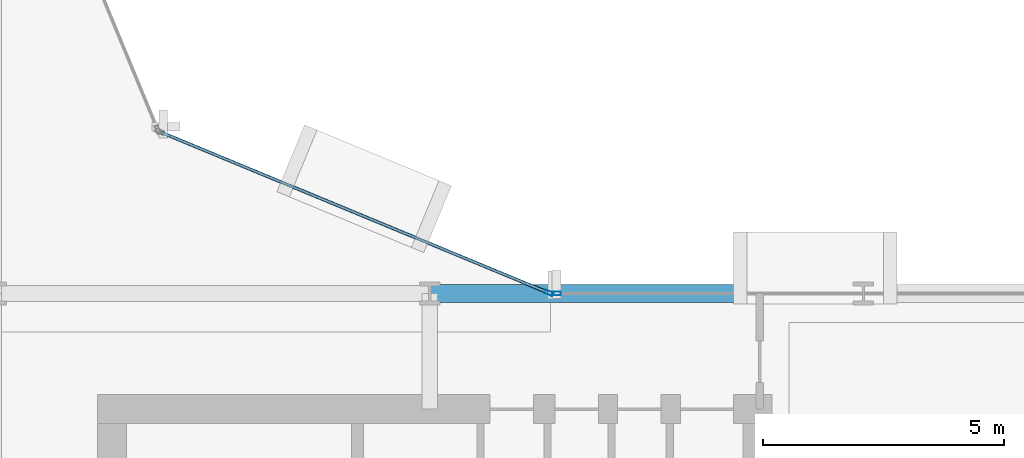
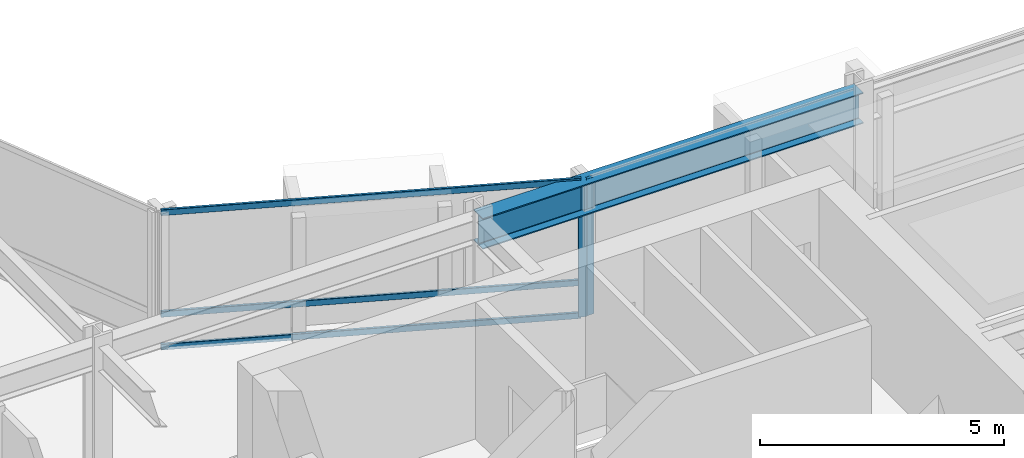
# One storey, part 15 of 34: 5 members, 1 beam, 2 elements without a shape of their own.
"""IFC4 building model written with IfcOpenShell, lengths in metres."""

from ifc_helpers import new_model, si_unit, direction, frame, origin, origin_2d, place, context, subcontext, project, spatial, hollow_rectangle, i_section, extrude, material, layer, layer_set, material_profile, profile_set, type_object, element, aggregate, save


model = new_model("IFC4")

# Units and contexts
model_context = context("Model", 3, precision=1e-05, world=origin(), true_north=direction((0.0, 1.0)))
body_context = subcontext(model_context, "Body", "Model", "MODEL_VIEW")
ifc_project = project(units=[si_unit("LENGTHUNIT", "METRE"), si_unit("AREAUNIT", "SQUARE_METRE"), si_unit("VOLUMEUNIT", "CUBIC_METRE"), si_unit("PLANEANGLEUNIT", "RADIAN"), si_unit("MASSUNIT", "GRAM", prefix="KILO")], contexts=[model_context])

# Site, building, storey
site_placement = place(None, origin())
site = spatial("IfcSite", under=ifc_project, at=site_placement, CompositionType="ELEMENT")
building_placement = place(site_placement, origin())
building = spatial("IfcBuilding", under=site, at=building_placement, Name="Solvaryn Broadcast Tower", CompositionType="ELEMENT")
storey_placement = place(building_placement, frame((0.0, 0.0, 89.10009765625)))
storey = spatial("IfcBuildingStorey", under=building, at=storey_placement, Name="L21", CompositionType="ELEMENT", Elevation=89.10009765625)

# Beam
ifc_material_1 = material(Name="Steel ASTM A992 Grade 50", Category="steel")
ifc_material_profile_1 = material_profile(ifc_material_1, i_section(OverallWidth=0.381103515625, OverallDepth=0.77294921875, WebThickness=0.0166015625, FlangeThickness=0.027099609375, FilletRadius=0.01806640625, at=origin_2d()))
ifc_profile_set_1 = profile_set([ifc_material_profile_1], Name="Steel ASTM A992 Grade 50")
beam_type = type_object("IfcBeamType", Name="BM-SP1-W30X173", PredefinedType="USERDEFINED", material=ifc_profile_set_1)
beam_placement = place(storey_placement, frame((36.0, 27.0, 3.033447265625), z_axis=(1.0, 0.0, 0.0), x_axis=(0.0, 1.0, 0.0)))
element("IfcBeam", 1, at=beam_placement, inside=storey, type_object=beam_type, Name="L21 Spandrel Beam X (36-45 @ Y=27)", ObjectType="SPANDREL", PredefinedType="USERDEFINED", context=body_context, shape_type="SweptSolid", body=[
    extrude(i_section(OverallWidth=0.381103515625, OverallDepth=0.77294921875, WebThickness=0.0166015625, FlangeThickness=0.027099609375, FilletRadius=0.01806640625, at=origin_2d()), origin(), (0.0, 0.0, 1.0), 9.0),
])

# Curtain wall, member
ifc_material_2 = material(Name="Aluminium and Terracotta Unitised Curtain Wall", Category="masonry")
ifc_layer = layer(ifc_material_2, 0.199951171875)
ifc_layer_set = layer_set([ifc_layer], Name="CW-SYS2-LOWMID")
curtain_wall_type = type_object("IfcCurtainWallType", Name="CW-SYS2-LOWMID", PredefinedType="NOTDEFINED", material=ifc_layer_set)
curtain_wall_1_placement = place(storey_placement, origin())
curtain_wall_1 = element("IfcCurtainWall", 2, at=curtain_wall_1_placement, inside=storey, type_object=curtain_wall_type, Name="L21 Curtain Wall CN1", PredefinedType="NOTDEFINED")
ifc_material_3 = material(Name="Anodised Aluminium 6063-T6", Category="aluminium")
ifc_material_profile_2 = material_profile(ifc_material_3, hollow_rectangle(XDim=0.074951171875, YDim=0.179931640625, WallThickness=0.00390625, InnerFilletRadius=0.00390625, OuterFilletRadius=0.008056640625, at=origin_2d()))
ifc_profile_set_2 = profile_set([ifc_material_profile_2], Name="Anodised Aluminium 6063-T6")
member_type_1 = type_object("IfcMemberType", Name="CW-MUL-180", PredefinedType="MULLION", material=ifc_profile_set_2)
member_1_placement = place(storey_placement, frame((38.47216796875, 27.011474609375, 0.0), z_axis=(0.0, 0.0, 1.0), x_axis=(-0.382646127145, -0.923894983957, 0.0)))
member_1 = element("IfcMember", 3, at=member_1_placement, type_object=member_type_1, Name="CWS2 mullion 1", PredefinedType="MULLION", context=body_context, shape_type="SweptSolid", body=[
    extrude(hollow_rectangle(XDim=0.074951171875, YDim=0.179931640625, WallThickness=0.00390625, InnerFilletRadius=0.00390625, OuterFilletRadius=0.008056640625, at=origin_2d()), origin(), (0.0, 0.0, 1.0), 3.419921875),
])

curtain_wall_2_placement = place(storey_placement, origin())
curtain_wall_2 = element("IfcCurtainWall", 4, at=curtain_wall_2_placement, inside=storey, type_object=curtain_wall_type, Name="L21 Curtain Wall IH", PredefinedType="NOTDEFINED")
member_2_placement = place(storey_placement, frame((38.6298828125, 27.0, 0.0), z_axis=(0.0, 0.0, 1.0), x_axis=(0.0, 1.0, 0.0)))
member_2 = element("IfcMember", 5, at=member_2_placement, type_object=member_type_1, Name="CWS2 mullion 1", PredefinedType="MULLION", context=body_context, shape_type="SweptSolid", body=[
    extrude(hollow_rectangle(XDim=0.074951171875, YDim=0.179931640625, WallThickness=0.00390625, InnerFilletRadius=0.00390625, OuterFilletRadius=0.008056640625, at=origin_2d()), origin(), (0.0, 0.0, 1.0), 3.419921875),
])
aggregate(curtain_wall_2, [member_2])

# Member
ifc_material_4 = material(Name="Anodised Aluminium 6063-T6", Category="aluminium")
ifc_material_profile_3 = material_profile(ifc_material_4, hollow_rectangle(XDim=0.06494140625, YDim=0.14990234375, WallThickness=0.00390625, InnerFilletRadius=0.00390625, OuterFilletRadius=0.008056640625, at=origin_2d()))
ifc_profile_set_3 = profile_set([ifc_material_profile_3], Name="Anodised Aluminium 6063-T6")
member_type_2 = type_object("IfcMemberType", Name="CW-TRN-150", PredefinedType="USERDEFINED", material=ifc_profile_set_3)
member_3_placement = place(storey_placement, frame((38.444580078125, 27.02294921875, 0.02978515625), z_axis=(-0.923899282177, 0.382635748975, 0.0), x_axis=(-0.382635748975, -0.923899282177, 0.0)))
member_3 = element("IfcMember", 6, at=member_3_placement, type_object=member_type_2, Name="CWS2 transom 1.1", ObjectType="TRANSOM", PredefinedType="USERDEFINED", context=body_context, shape_type="SweptSolid", body=[
    extrude(hollow_rectangle(XDim=0.06494140625, YDim=0.14990234375, WallThickness=0.00390625, InnerFilletRadius=0.00390625, OuterFilletRadius=0.008056640625, at=origin_2d()), origin(), (0.0, 0.0, 1.0), 8.681884765625),
])

member_4_placement = place(storey_placement, frame((38.444580078125, 27.02294921875, 0.849853515625), z_axis=(-0.923899282177, 0.382635748975, 0.0), x_axis=(-0.382635748975, -0.923899282177, 0.0)))
member_4 = element("IfcMember", 7, at=member_4_placement, type_object=member_type_2, Name="CWS2 transom 1.2", ObjectType="TRANSOM", PredefinedType="USERDEFINED", context=body_context, shape_type="SweptSolid", body=[
    extrude(hollow_rectangle(XDim=0.06494140625, YDim=0.14990234375, WallThickness=0.00390625, InnerFilletRadius=0.00390625, OuterFilletRadius=0.008056640625, at=origin_2d()), origin(), (0.0, 0.0, 1.0), 8.681884765625),
])

member_5_placement = place(storey_placement, frame((38.444580078125, 27.02294921875, 3.389892578125), z_axis=(-0.923899282177, 0.382635748975, 0.0), x_axis=(-0.382635748975, -0.923899282177, 0.0)))
member_5 = element("IfcMember", 8, at=member_5_placement, type_object=member_type_2, Name="CWS2 transom 1.3", ObjectType="TRANSOM", PredefinedType="USERDEFINED", context=body_context, shape_type="SweptSolid", body=[
    extrude(hollow_rectangle(XDim=0.06494140625, YDim=0.14990234375, WallThickness=0.00390625, InnerFilletRadius=0.00390625, OuterFilletRadius=0.008056640625, at=origin_2d()), origin(), (0.0, 0.0, 1.0), 8.681884765625),
])

aggregate(curtain_wall_1, [member_1, member_3, member_4, member_5])

save(model, "model.ifc")
